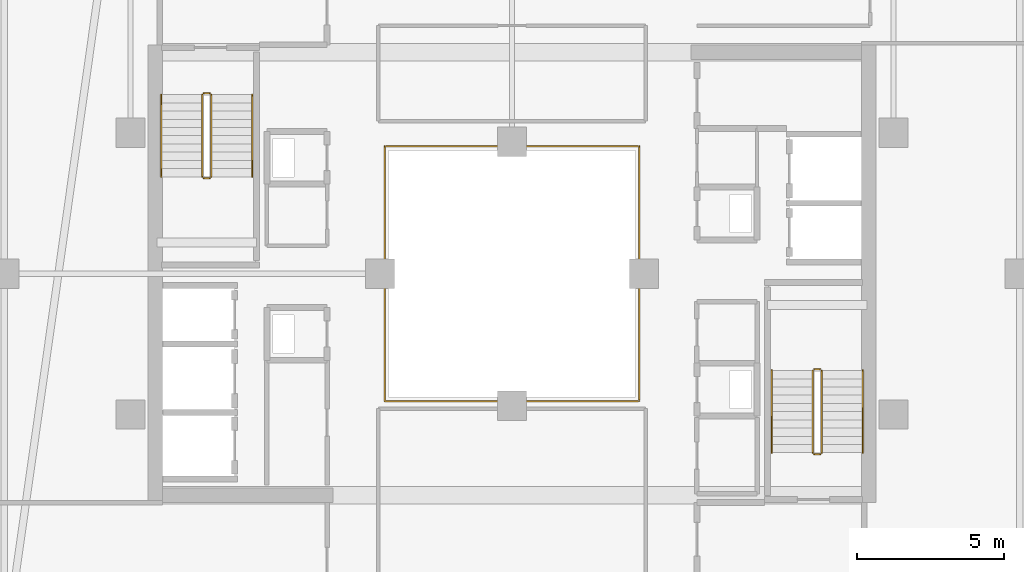
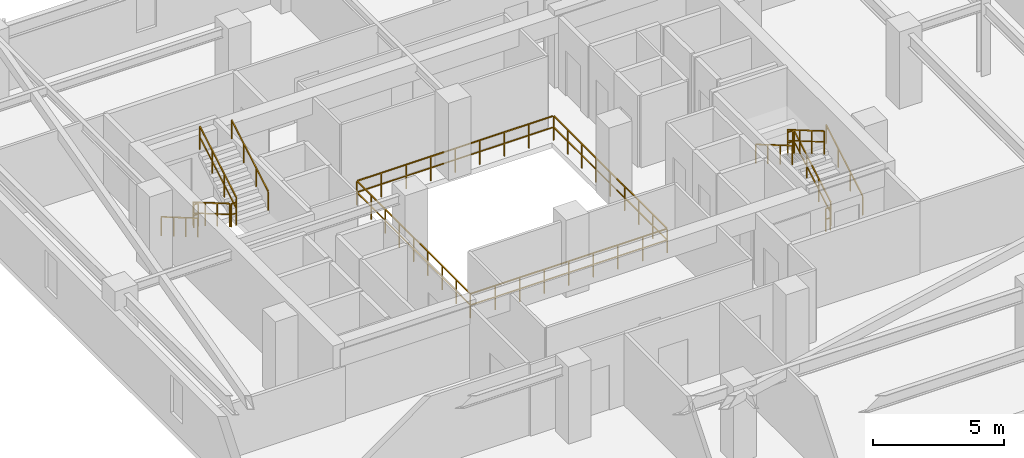
# One storey, part 30 of 31: 13 railings.
"""IFC4 building model written with IfcOpenShell, lengths in metres."""

from ifc_helpers import new_model, si_unit, direction, frame, origin, origin_2d, place, context, subcontext, project, spatial, rectangle, extrude, material, type_object, element, save


model = new_model("IFC4")

# Units and contexts
model_context = context("Model", 3, precision=1e-05, world=origin(), true_north=direction((0.0, 1.0)))
body_context = subcontext(model_context, "Body", "Model", "MODEL_VIEW")
ifc_project = project(units=[si_unit("LENGTHUNIT", "METRE"), si_unit("AREAUNIT", "SQUARE_METRE"), si_unit("VOLUMEUNIT", "CUBIC_METRE"), si_unit("PLANEANGLEUNIT", "RADIAN"), si_unit("MASSUNIT", "GRAM", prefix="KILO")], contexts=[model_context])

# Site, building, storey
site_placement = place(None, origin())
site = spatial("IfcSite", under=ifc_project, at=site_placement, CompositionType="ELEMENT")
building_placement = place(site_placement, origin())
building = spatial("IfcBuilding", under=site, at=building_placement, Name="Thornwick Lancets Civic Towers", CompositionType="ELEMENT")
storey_placement = place(building_placement, frame((0.0, 0.0, 236.699951171875)))
storey = spatial("IfcBuildingStorey", under=building, at=storey_placement, Name="L63", CompositionType="ELEMENT", Elevation=236.699951171875)

# Railings
ifc_material_1 = material(Name="Laminated glass and bronze steel S355", Category="steel")
railing_type_1 = type_object("IfcRailingType", Name="RAIL_ATRIUM_GUARD", PredefinedType="BALUSTRADE", material=ifc_material_1)
railing_1_placement = place(storey_placement, frame((84.159912109375, 22.659912109375, 0.0)))
element("IfcRailing", 1, at=railing_1_placement, inside=storey, type_object=railing_type_1, Name="L63 Tower B Central Atrium Guard Balustrade", PredefinedType="BALUSTRADE", context=body_context, shape_type="SweptSolid", body=[
    extrude(rectangle(XDim=0.048095703125, YDim=0.048095703125, at=origin_2d()), frame((0.0, 0.0, 1.1259765625), z_axis=(1.0, 0.0, 0.0), x_axis=(0.0, 1.0, 0.0)), (0.0, 0.0, 1.0), 8.64892578125),
    extrude(rectangle(XDim=0.0419921875, YDim=0.0419921875, at=origin_2d()), frame((0.03759765625, 0.0, 0.597900390625), z_axis=(1.0, 0.0, 0.0), x_axis=(0.0, 1.0, 0.0)), (0.0, 0.0, 1.0), 1.010009765625),
    extrude(rectangle(XDim=0.0419921875, YDim=0.0419921875, at=origin_2d()), frame((1.12255859375, 0.0, 0.597900390625), z_axis=(1.0, 0.0, 0.0), x_axis=(0.0, 1.0, 0.0)), (0.0, 0.0, 1.0), 1.010009765625),
    extrude(rectangle(XDim=0.0419921875, YDim=0.0419921875, at=origin_2d()), frame((2.20751953125, 0.0, 0.597900390625), z_axis=(1.0, 0.0, 0.0), x_axis=(0.0, 1.0, 0.0)), (0.0, 0.0, 1.0), 1.010009765625),
    extrude(rectangle(XDim=0.0419921875, YDim=0.0419921875, at=origin_2d()), frame((3.29248046875, 0.0, 0.597900390625), z_axis=(1.0, 0.0, 0.0), x_axis=(0.0, 1.0, 0.0)), (0.0, 0.0, 1.0), 1.010009765625),
    extrude(rectangle(XDim=0.0419921875, YDim=0.0419921875, at=origin_2d()), frame((4.377685546875, 0.0, 0.597900390625), z_axis=(1.0, 0.0, 0.0), x_axis=(0.0, 1.0, 0.0)), (0.0, 0.0, 1.0), 1.010009765625),
    extrude(rectangle(XDim=0.0419921875, YDim=0.0419921875, at=origin_2d()), frame((5.462646484375, 0.0, 0.597900390625), z_axis=(1.0, 0.0, 0.0), x_axis=(0.0, 1.0, 0.0)), (0.0, 0.0, 1.0), 1.010009765625),
    extrude(rectangle(XDim=0.0419921875, YDim=0.0419921875, at=origin_2d()), frame((6.547607421875, 0.0, 0.597900390625), z_axis=(1.0, 0.0, 0.0), x_axis=(0.0, 1.0, 0.0)), (0.0, 0.0, 1.0), 1.010009765625),
    extrude(rectangle(XDim=0.0419921875, YDim=0.0419921875, at=origin_2d()), frame((7.632568359375, 0.0, 0.597900390625), z_axis=(1.0, 0.0, 0.0), x_axis=(0.0, 1.0, 0.0)), (0.0, 0.0, 1.0), 1.010009765625),
    extrude(rectangle(XDim=0.048095703125, YDim=0.048095703125, at=origin_2d()), frame((8.68017578125, 0.03125, 1.1259765625), z_axis=(0.0, 1.0, 0.0), x_axis=(-1.0, 0.0, 0.0)), (0.0, 0.0, 1.0), 8.61767578125),
    extrude(rectangle(XDim=0.0419921875, YDim=0.0419921875, at=origin_2d()), frame((8.68017578125, 0.03759765625, 0.597900390625), z_axis=(0.0, 1.0, 0.0), x_axis=(-1.0, 0.0, 0.0)), (0.0, 0.0, 1.0), 1.010009765625),
    extrude(rectangle(XDim=0.0419921875, YDim=0.0419921875, at=origin_2d()), frame((8.68017578125, 1.12255859375, 0.597900390625), z_axis=(0.0, 1.0, 0.0), x_axis=(-1.0, 0.0, 0.0)), (0.0, 0.0, 1.0), 1.010009765625),
    extrude(rectangle(XDim=0.0419921875, YDim=0.0419921875, at=origin_2d()), frame((8.68017578125, 2.20751953125, 0.597900390625), z_axis=(0.0, 1.0, 0.0), x_axis=(-1.0, 0.0, 0.0)), (0.0, 0.0, 1.0), 1.010009765625),
    extrude(rectangle(XDim=0.0419921875, YDim=0.0419921875, at=origin_2d()), frame((8.68017578125, 3.29248046875, 0.597900390625), z_axis=(0.0, 1.0, 0.0), x_axis=(-1.0, 0.0, 0.0)), (0.0, 0.0, 1.0), 1.010009765625),
    extrude(rectangle(XDim=0.0419921875, YDim=0.0419921875, at=origin_2d()), frame((8.68017578125, 4.377685546875, 0.597900390625), z_axis=(0.0, 1.0, 0.0), x_axis=(-1.0, 0.0, 0.0)), (0.0, 0.0, 1.0), 1.010009765625),
    extrude(rectangle(XDim=0.0419921875, YDim=0.0419921875, at=origin_2d()), frame((8.68017578125, 5.462646484375, 0.597900390625), z_axis=(0.0, 1.0, 0.0), x_axis=(-1.0, 0.0, 0.0)), (0.0, 0.0, 1.0), 1.010009765625),
    extrude(rectangle(XDim=0.0419921875, YDim=0.0419921875, at=origin_2d()), frame((8.68017578125, 6.547607421875, 0.597900390625), z_axis=(0.0, 1.0, 0.0), x_axis=(-1.0, 0.0, 0.0)), (0.0, 0.0, 1.0), 1.010009765625),
    extrude(rectangle(XDim=0.0419921875, YDim=0.0419921875, at=origin_2d()), frame((8.68017578125, 7.632568359375, 0.597900390625), z_axis=(0.0, 1.0, 0.0), x_axis=(-1.0, 0.0, 0.0)), (0.0, 0.0, 1.0), 1.010009765625),
    extrude(rectangle(XDim=0.048095703125, YDim=0.048095703125, at=origin_2d()), frame((8.64892578125, 8.68017578125, 1.1259765625), z_axis=(-1.0, 0.0, 0.0), x_axis=(0.0, -1.0, 0.0)), (0.0, 0.0, 1.0), 8.61767578125),
    extrude(rectangle(XDim=0.0419921875, YDim=0.0419921875, at=origin_2d()), frame((8.642578125, 8.68017578125, 0.597900390625), z_axis=(-1.0, 0.0, 0.0), x_axis=(0.0, -1.0, 0.0)), (0.0, 0.0, 1.0), 1.010009765625),
    extrude(rectangle(XDim=0.0419921875, YDim=0.0419921875, at=origin_2d()), frame((7.5576171875, 8.68017578125, 0.597900390625), z_axis=(-1.0, 0.0, 0.0), x_axis=(0.0, -1.0, 0.0)), (0.0, 0.0, 1.0), 1.010009765625),
    extrude(rectangle(XDim=0.0419921875, YDim=0.0419921875, at=origin_2d()), frame((6.47265625, 8.68017578125, 0.597900390625), z_axis=(-1.0, 0.0, 0.0), x_axis=(0.0, -1.0, 0.0)), (0.0, 0.0, 1.0), 1.010009765625),
    extrude(rectangle(XDim=0.0419921875, YDim=0.0419921875, at=origin_2d()), frame((5.3876953125, 8.68017578125, 0.597900390625), z_axis=(-1.0, 0.0, 0.0), x_axis=(0.0, -1.0, 0.0)), (0.0, 0.0, 1.0), 1.010009765625),
    extrude(rectangle(XDim=0.0419921875, YDim=0.0419921875, at=origin_2d()), frame((4.302490234375, 8.68017578125, 0.597900390625), z_axis=(-1.0, 0.0, 0.0), x_axis=(0.0, -1.0, 0.0)), (0.0, 0.0, 1.0), 1.010009765625),
    extrude(rectangle(XDim=0.0419921875, YDim=0.0419921875, at=origin_2d()), frame((3.217529296875, 8.68017578125, 0.597900390625), z_axis=(-1.0, 0.0, 0.0), x_axis=(0.0, -1.0, 0.0)), (0.0, 0.0, 1.0), 1.010009765625),
    extrude(rectangle(XDim=0.0419921875, YDim=0.0419921875, at=origin_2d()), frame((2.132568359375, 8.68017578125, 0.597900390625), z_axis=(-1.0, 0.0, 0.0), x_axis=(0.0, -1.0, 0.0)), (0.0, 0.0, 1.0), 1.010009765625),
    extrude(rectangle(XDim=0.0419921875, YDim=0.0419921875, at=origin_2d()), frame((1.047607421875, 8.68017578125, 0.597900390625), z_axis=(-1.0, 0.0, 0.0), x_axis=(0.0, -1.0, 0.0)), (0.0, 0.0, 1.0), 1.010009765625),
    extrude(rectangle(XDim=0.048095703125, YDim=0.048095703125, at=origin_2d()), frame((0.0, 8.64892578125, 1.1259765625), z_axis=(0.0, -1.0, 0.0), x_axis=(1.0, 0.0, 0.0)), (0.0, 0.0, 1.0), 8.64892578125),
    extrude(rectangle(XDim=0.0419921875, YDim=0.0419921875, at=origin_2d()), frame((0.0, 8.642578125, 0.597900390625), z_axis=(0.0, -1.0, 0.0), x_axis=(1.0, 0.0, 0.0)), (0.0, 0.0, 1.0), 1.010009765625),
    extrude(rectangle(XDim=0.0419921875, YDim=0.0419921875, at=origin_2d()), frame((0.0, 7.5576171875, 0.597900390625), z_axis=(0.0, -1.0, 0.0), x_axis=(1.0, 0.0, 0.0)), (0.0, 0.0, 1.0), 1.010009765625),
    extrude(rectangle(XDim=0.0419921875, YDim=0.0419921875, at=origin_2d()), frame((0.0, 6.47265625, 0.597900390625), z_axis=(0.0, -1.0, 0.0), x_axis=(1.0, 0.0, 0.0)), (0.0, 0.0, 1.0), 1.010009765625),
    extrude(rectangle(XDim=0.0419921875, YDim=0.0419921875, at=origin_2d()), frame((0.0, 5.3876953125, 0.597900390625), z_axis=(0.0, -1.0, 0.0), x_axis=(1.0, 0.0, 0.0)), (0.0, 0.0, 1.0), 1.010009765625),
    extrude(rectangle(XDim=0.0419921875, YDim=0.0419921875, at=origin_2d()), frame((0.0, 4.302490234375, 0.597900390625), z_axis=(0.0, -1.0, 0.0), x_axis=(1.0, 0.0, 0.0)), (0.0, 0.0, 1.0), 1.010009765625),
    extrude(rectangle(XDim=0.0419921875, YDim=0.0419921875, at=origin_2d()), frame((0.0, 3.217529296875, 0.597900390625), z_axis=(0.0, -1.0, 0.0), x_axis=(1.0, 0.0, 0.0)), (0.0, 0.0, 1.0), 1.010009765625),
    extrude(rectangle(XDim=0.0419921875, YDim=0.0419921875, at=origin_2d()), frame((0.0, 2.132568359375, 0.597900390625), z_axis=(0.0, -1.0, 0.0), x_axis=(1.0, 0.0, 0.0)), (0.0, 0.0, 1.0), 1.010009765625),
    extrude(rectangle(XDim=0.0419921875, YDim=0.0419921875, at=origin_2d()), frame((0.0, 1.047607421875, 0.597900390625), z_axis=(0.0, -1.0, 0.0), x_axis=(1.0, 0.0, 0.0)), (0.0, 0.0, 1.0), 1.010009765625),
    extrude(rectangle(XDim=0.0419921875, YDim=0.0419921875, at=origin_2d()), origin(), (0.0, 0.0, 1.0), 1.095703125),
    extrude(rectangle(XDim=0.0419921875, YDim=0.0419921875, at=origin_2d()), frame((1.0849609375, 0.0, 0.0)), (0.0, 0.0, 1.0), 1.095703125),
    extrude(rectangle(XDim=0.0419921875, YDim=0.0419921875, at=origin_2d()), frame((2.169921875, 0.0, 0.0)), (0.0, 0.0, 1.0), 1.095703125),
    extrude(rectangle(XDim=0.0419921875, YDim=0.0419921875, at=origin_2d()), frame((3.255126953125, 0.0, 0.0)), (0.0, 0.0, 1.0), 1.095703125),
    extrude(rectangle(XDim=0.0419921875, YDim=0.0419921875, at=origin_2d()), frame((4.340087890625, 0.0, 0.0)), (0.0, 0.0, 1.0), 1.095703125),
    extrude(rectangle(XDim=0.0419921875, YDim=0.0419921875, at=origin_2d()), frame((5.425048828125, 0.0, 0.0)), (0.0, 0.0, 1.0), 1.095703125),
    extrude(rectangle(XDim=0.0419921875, YDim=0.0419921875, at=origin_2d()), frame((6.51025390625, 0.0, 0.0)), (0.0, 0.0, 1.0), 1.095703125),
    extrude(rectangle(XDim=0.0419921875, YDim=0.0419921875, at=origin_2d()), frame((7.59521484375, 0.0, 0.0)), (0.0, 0.0, 1.0), 1.095703125),
    extrude(rectangle(XDim=0.0419921875, YDim=0.0419921875, at=origin_2d()), frame((8.68017578125, 0.0, 0.0)), (0.0, 0.0, 1.0), 1.095703125),
    extrude(rectangle(XDim=0.0419921875, YDim=0.0419921875, at=origin_2d()), frame((8.68017578125, 1.0849609375, 0.0)), (0.0, 0.0, 1.0), 1.095703125),
    extrude(rectangle(XDim=0.0419921875, YDim=0.0419921875, at=origin_2d()), frame((8.68017578125, 2.169921875, 0.0)), (0.0, 0.0, 1.0), 1.095703125),
    extrude(rectangle(XDim=0.0419921875, YDim=0.0419921875, at=origin_2d()), frame((8.68017578125, 3.255126953125, 0.0)), (0.0, 0.0, 1.0), 1.095703125),
    extrude(rectangle(XDim=0.0419921875, YDim=0.0419921875, at=origin_2d()), frame((8.68017578125, 4.340087890625, 0.0)), (0.0, 0.0, 1.0), 1.095703125),
    extrude(rectangle(XDim=0.0419921875, YDim=0.0419921875, at=origin_2d()), frame((8.68017578125, 5.425048828125, 0.0)), (0.0, 0.0, 1.0), 1.095703125),
    extrude(rectangle(XDim=0.0419921875, YDim=0.0419921875, at=origin_2d()), frame((8.68017578125, 6.51025390625, 0.0)), (0.0, 0.0, 1.0), 1.095703125),
    extrude(rectangle(XDim=0.0419921875, YDim=0.0419921875, at=origin_2d()), frame((8.68017578125, 7.59521484375, 0.0)), (0.0, 0.0, 1.0), 1.095703125),
    extrude(rectangle(XDim=0.0419921875, YDim=0.0419921875, at=origin_2d()), frame((8.68017578125, 8.68017578125, 0.0)), (0.0, 0.0, 1.0), 1.095703125),
    extrude(rectangle(XDim=0.0419921875, YDim=0.0419921875, at=origin_2d()), frame((7.59521484375, 8.68017578125, 0.0)), (0.0, 0.0, 1.0), 1.095703125),
    extrude(rectangle(XDim=0.0419921875, YDim=0.0419921875, at=origin_2d()), frame((6.51025390625, 8.68017578125, 0.0)), (0.0, 0.0, 1.0), 1.095703125),
    extrude(rectangle(XDim=0.0419921875, YDim=0.0419921875, at=origin_2d()), frame((5.425048828125, 8.68017578125, 0.0)), (0.0, 0.0, 1.0), 1.095703125),
    extrude(rectangle(XDim=0.0419921875, YDim=0.0419921875, at=origin_2d()), frame((4.340087890625, 8.68017578125, 0.0)), (0.0, 0.0, 1.0), 1.095703125),
    extrude(rectangle(XDim=0.0419921875, YDim=0.0419921875, at=origin_2d()), frame((3.255126953125, 8.68017578125, 0.0)), (0.0, 0.0, 1.0), 1.095703125),
    extrude(rectangle(XDim=0.0419921875, YDim=0.0419921875, at=origin_2d()), frame((2.169921875, 8.68017578125, 0.0)), (0.0, 0.0, 1.0), 1.095703125),
    extrude(rectangle(XDim=0.0419921875, YDim=0.0419921875, at=origin_2d()), frame((1.0849609375, 8.68017578125, 0.0)), (0.0, 0.0, 1.0), 1.095703125),
    extrude(rectangle(XDim=0.0419921875, YDim=0.0419921875, at=origin_2d()), frame((0.0, 8.68017578125, 0.0)), (0.0, 0.0, 1.0), 1.095703125),
    extrude(rectangle(XDim=0.0419921875, YDim=0.0419921875, at=origin_2d()), frame((0.0, 7.59521484375, 0.0)), (0.0, 0.0, 1.0), 1.095703125),
    extrude(rectangle(XDim=0.0419921875, YDim=0.0419921875, at=origin_2d()), frame((0.0, 6.51025390625, 0.0)), (0.0, 0.0, 1.0), 1.095703125),
    extrude(rectangle(XDim=0.0419921875, YDim=0.0419921875, at=origin_2d()), frame((0.0, 5.425048828125, 0.0)), (0.0, 0.0, 1.0), 1.095703125),
    extrude(rectangle(XDim=0.0419921875, YDim=0.0419921875, at=origin_2d()), frame((0.0, 4.340087890625, 0.0)), (0.0, 0.0, 1.0), 1.095703125),
    extrude(rectangle(XDim=0.0419921875, YDim=0.0419921875, at=origin_2d()), frame((0.0, 3.255126953125, 0.0)), (0.0, 0.0, 1.0), 1.095703125),
    extrude(rectangle(XDim=0.0419921875, YDim=0.0419921875, at=origin_2d()), frame((0.0, 2.169921875, 0.0)), (0.0, 0.0, 1.0), 1.095703125),
    extrude(rectangle(XDim=0.0419921875, YDim=0.0419921875, at=origin_2d()), frame((0.0, 1.0849609375, 0.0)), (0.0, 0.0, 1.0), 1.095703125),
])
ifc_material_2 = material(Name="Brushed stainless steel S355", Category="steel")
railing_type_2 = type_object("IfcRailingType", Name="RAIL_HANDRAIL", PredefinedType="HANDRAIL", material=ifc_material_2)
railing_2_placement = place(storey_placement, frame((100.449951171875, 20.89990234375, 0.16357421875)))
element("IfcRailing", 2, at=railing_2_placement, inside=storey, type_object=railing_type_2, Name="L63 ST-B1 stair handrail 1", PredefinedType="HANDRAIL", context=body_context, shape_type="SweptSolid", body=[
    extrude(rectangle(XDim=0.048095703125, YDim=0.048095703125, at=origin_2d()), frame((0.0, 0.0, 0.8857421875), z_axis=(0.0, 0.863360870873, 0.504586966384), x_axis=(-1.0, 0.0, 0.0)), (0.0, 0.0, 1.0), 3.2431640625),
    extrude(rectangle(XDim=0.0419921875, YDim=0.0419921875, at=origin_2d()), origin(), (0.0, 0.0, 1.0), 0.855712890625),
    extrude(rectangle(XDim=0.0419921875, YDim=0.0419921875, at=origin_2d()), frame((0.0, 0.933349609375, 0.54541015625)), (0.0, 0.0, 1.0), 0.855712890625),
    extrude(rectangle(XDim=0.0419921875, YDim=0.0419921875, at=origin_2d()), frame((0.0, 1.86669921875, 1.091064453125)), (0.0, 0.0, 1.0), 0.855712890625),
    extrude(rectangle(XDim=0.0419921875, YDim=0.0419921875, at=origin_2d()), frame((0.0, 2.800048828125, 1.636474609375)), (0.0, 0.0, 1.0), 0.855712890625),
])
for number, where, name in (
    (3, (97.35009765625, 23.699951171875, 1.963623046875), "L63 ST-B1 stair handrail 2"),
    (4, (76.550048828125, 33.10009765625, 0.16357421875), "L63 ST-B2 stair handrail 1"),
):
    element("IfcRailing", number, at=place(storey_placement, frame(where)), inside=storey, type_object=railing_type_2, Name=name, PredefinedType="HANDRAIL", context=body_context, shape_type="SweptSolid", body=[
        extrude(rectangle(XDim=0.048095703125, YDim=0.048095703125, at=origin_2d()), frame((0.0, 0.0, 0.8857421875), z_axis=(0.0, -0.863360870873, 0.504586966384), x_axis=(1.0, 0.0, 0.0)), (0.0, 0.0, 1.0), 3.2431640625),
        extrude(rectangle(XDim=0.0419921875, YDim=0.0419921875, at=origin_2d()), origin(), (0.0, 0.0, 1.0), 0.855712890625),
        extrude(rectangle(XDim=0.0419921875, YDim=0.0419921875, at=origin_2d()), frame((0.0, -0.933349609375, 0.54541015625)), (0.0, 0.0, 1.0), 0.855712890625),
        extrude(rectangle(XDim=0.0419921875, YDim=0.0419921875, at=origin_2d()), frame((0.0, -1.86669921875, 1.091064453125)), (0.0, 0.0, 1.0), 0.855712890625),
        extrude(rectangle(XDim=0.0419921875, YDim=0.0419921875, at=origin_2d()), frame((0.0, -2.800048828125, 1.636474609375)), (0.0, 0.0, 1.0), 0.855712890625),
    ])
railing_3_placement = place(storey_placement, frame((79.64990234375, 30.300048828125, 1.963623046875)))
element("IfcRailing", 5, at=railing_3_placement, inside=storey, type_object=railing_type_2, Name="L63 ST-B2 stair handrail 2", PredefinedType="HANDRAIL", context=body_context, shape_type="SweptSolid", body=[
    extrude(rectangle(XDim=0.048095703125, YDim=0.048095703125, at=origin_2d()), frame((0.0, 0.0, 0.8857421875), z_axis=(0.0, 0.863360870873, 0.504586966384), x_axis=(-1.0, 0.0, 0.0)), (0.0, 0.0, 1.0), 3.2431640625),
    extrude(rectangle(XDim=0.0419921875, YDim=0.0419921875, at=origin_2d()), origin(), (0.0, 0.0, 1.0), 0.855712890625),
    extrude(rectangle(XDim=0.0419921875, YDim=0.0419921875, at=origin_2d()), frame((0.0, 0.933349609375, 0.54541015625)), (0.0, 0.0, 1.0), 0.855712890625),
    extrude(rectangle(XDim=0.0419921875, YDim=0.0419921875, at=origin_2d()), frame((0.0, 1.86669921875, 1.091064453125)), (0.0, 0.0, 1.0), 0.855712890625),
    extrude(rectangle(XDim=0.0419921875, YDim=0.0419921875, at=origin_2d()), frame((0.0, 2.800048828125, 1.636474609375)), (0.0, 0.0, 1.0), 0.855712890625),
])
ifc_material_3 = material(Name="Steel S355JR", Category="steel")
railing_type_3 = type_object("IfcRailingType", Name="RAIL_STAIR_GUARD", PredefinedType="GUARDRAIL", material=ifc_material_3)
railing_4_placement = place(storey_placement, frame((99.050048828125, 20.89990234375, 0.16357421875)))
element("IfcRailing", 6, at=railing_4_placement, inside=storey, type_object=railing_type_3, Name="L63 ST-B1 stair guard 1", PredefinedType="GUARDRAIL", context=body_context, shape_type="SweptSolid", body=[
    extrude(rectangle(XDim=0.048095703125, YDim=0.048095703125, at=origin_2d()), frame((0.0, 0.0, 1.076171875), z_axis=(0.0, 0.863360870873, 0.504586966384), x_axis=(-1.0, 0.0, 0.0)), (0.0, 0.0, 1.0), 3.2431640625),
    extrude(rectangle(XDim=0.0419921875, YDim=0.0419921875, at=origin_2d()), frame((0.0, 0.032470703125, 0.591064453125), z_axis=(0.0, 0.863360870873, 0.504586966384), x_axis=(-1.0, 0.0, 0.0)), (0.0, 0.0, 1.0), 1.006103515625),
    extrude(rectangle(XDim=0.0419921875, YDim=0.0419921875, at=origin_2d()), frame((0.0, 0.9658203125, 1.136474609375), z_axis=(0.0, 0.863360870873, 0.504586966384), x_axis=(-1.0, 0.0, 0.0)), (0.0, 0.0, 1.0), 1.006103515625),
    extrude(rectangle(XDim=0.0419921875, YDim=0.0419921875, at=origin_2d()), frame((0.0, 1.899169921875, 1.681884765625), z_axis=(0.0, 0.863360870873, 0.504586966384), x_axis=(-1.0, 0.0, 0.0)), (0.0, 0.0, 1.0), 1.006103515625),
    extrude(rectangle(XDim=0.0419921875, YDim=0.0419921875, at=origin_2d()), origin(), (0.0, 0.0, 1.0), 1.0458984375),
    extrude(rectangle(XDim=0.0419921875, YDim=0.0419921875, at=origin_2d()), frame((0.0, 0.933349609375, 0.54541015625)), (0.0, 0.0, 1.0), 1.0458984375),
    extrude(rectangle(XDim=0.0419921875, YDim=0.0419921875, at=origin_2d()), frame((0.0, 1.86669921875, 1.091064453125)), (0.0, 0.0, 1.0), 1.0458984375),
    extrude(rectangle(XDim=0.0419921875, YDim=0.0419921875, at=origin_2d()), frame((0.0, 2.800048828125, 1.636474609375)), (0.0, 0.0, 1.0), 1.0458984375),
])
railing_5_placement = place(storey_placement, frame((99.0, 23.75, 1.800048828125)))
element("IfcRailing", 7, at=railing_5_placement, inside=storey, type_object=railing_type_3, Name="L63 ST-B1 stair guard 2", PredefinedType="GUARDRAIL", context=body_context, shape_type="SweptSolid", body=[
    extrude(rectangle(XDim=0.048095703125, YDim=0.048095703125, at=origin_2d()), frame((0.0, 0.0, 1.076171875), z_axis=(-1.0, 0.0, 0.0), x_axis=(0.0, -1.0, 0.0)), (0.0, 0.0, 1.0), 0.199951171875),
    extrude(rectangle(XDim=0.0419921875, YDim=0.0419921875, at=origin_2d()), frame((-0.03759765625, 0.0, 0.572021484375), z_axis=(-1.0, 0.0, 0.0), x_axis=(0.0, -1.0, 0.0)), (0.0, 0.0, 1.0), 0.125),
    extrude(rectangle(XDim=0.0419921875, YDim=0.0419921875, at=origin_2d()), origin(), (0.0, 0.0, 1.0), 1.0458984375),
    extrude(rectangle(XDim=0.0419921875, YDim=0.0419921875, at=origin_2d()), frame((-0.199951171875, 0.0, 0.0)), (0.0, 0.0, 1.0), 1.0458984375),
])
railing_6_placement = place(storey_placement, frame((98.75, 23.699951171875, 1.963623046875)))
element("IfcRailing", 8, at=railing_6_placement, inside=storey, type_object=railing_type_3, Name="L63 ST-B1 stair guard 3", PredefinedType="GUARDRAIL", context=body_context, shape_type="SweptSolid", body=[
    extrude(rectangle(XDim=0.048095703125, YDim=0.048095703125, at=origin_2d()), frame((0.0, 0.0, 1.076171875), z_axis=(0.0, -0.863360870873, 0.504586966384), x_axis=(1.0, 0.0, 0.0)), (0.0, 0.0, 1.0), 3.2431640625),
    extrude(rectangle(XDim=0.0419921875, YDim=0.0419921875, at=origin_2d()), frame((0.0, -0.032470703125, 0.591064453125), z_axis=(0.0, -0.863360870873, 0.504586966384), x_axis=(1.0, 0.0, 0.0)), (0.0, 0.0, 1.0), 1.006103515625),
    extrude(rectangle(XDim=0.0419921875, YDim=0.0419921875, at=origin_2d()), frame((0.0, -0.9658203125, 1.136474609375), z_axis=(0.0, -0.863360870873, 0.504586966384), x_axis=(1.0, 0.0, 0.0)), (0.0, 0.0, 1.0), 1.006103515625),
    extrude(rectangle(XDim=0.0419921875, YDim=0.0419921875, at=origin_2d()), frame((0.0, -1.899169921875, 1.681884765625), z_axis=(0.0, -0.863360870873, 0.504586966384), x_axis=(1.0, 0.0, 0.0)), (0.0, 0.0, 1.0), 1.006103515625),
    extrude(rectangle(XDim=0.0419921875, YDim=0.0419921875, at=origin_2d()), origin(), (0.0, 0.0, 1.0), 1.0458984375),
    extrude(rectangle(XDim=0.0419921875, YDim=0.0419921875, at=origin_2d()), frame((0.0, -0.933349609375, 0.54541015625)), (0.0, 0.0, 1.0), 1.0458984375),
    extrude(rectangle(XDim=0.0419921875, YDim=0.0419921875, at=origin_2d()), frame((0.0, -1.86669921875, 1.091064453125)), (0.0, 0.0, 1.0), 1.0458984375),
    extrude(rectangle(XDim=0.0419921875, YDim=0.0419921875, at=origin_2d()), frame((0.0, -2.800048828125, 1.636474609375)), (0.0, 0.0, 1.0), 1.0458984375),
])
railing_7_placement = place(storey_placement, frame((99.0, 20.85009765625, 0.0)))
element("IfcRailing", 9, at=railing_7_placement, inside=storey, type_object=railing_type_3, Name="L63 ST-B1 stair guard 4", PredefinedType="GUARDRAIL", context=body_context, shape_type="SweptSolid", body=[
    extrude(rectangle(XDim=0.048095703125, YDim=0.048095703125, at=origin_2d()), frame((0.0, 0.0, 1.076171875), z_axis=(-1.0, 0.0, 0.0), x_axis=(0.0, -1.0, 0.0)), (0.0, 0.0, 1.0), 0.199951171875),
    extrude(rectangle(XDim=0.0419921875, YDim=0.0419921875, at=origin_2d()), frame((-0.03759765625, 0.0, 0.572021484375), z_axis=(-1.0, 0.0, 0.0), x_axis=(0.0, -1.0, 0.0)), (0.0, 0.0, 1.0), 0.125),
    extrude(rectangle(XDim=0.0419921875, YDim=0.0419921875, at=origin_2d()), origin(), (0.0, 0.0, 1.0), 1.0458984375),
    extrude(rectangle(XDim=0.0419921875, YDim=0.0419921875, at=origin_2d()), frame((-0.199951171875, 0.0, 0.0)), (0.0, 0.0, 1.0), 1.0458984375),
])
railing_8_placement = place(storey_placement, frame((77.949951171875, 33.10009765625, 0.16357421875)))
element("IfcRailing", 10, at=railing_8_placement, inside=storey, type_object=railing_type_3, Name="L63 ST-B2 stair guard 1", PredefinedType="GUARDRAIL", context=body_context, shape_type="SweptSolid", body=[
    extrude(rectangle(XDim=0.048095703125, YDim=0.048095703125, at=origin_2d()), frame((0.0, 0.0, 1.076171875), z_axis=(0.0, -0.863360870873, 0.504586966384), x_axis=(1.0, 0.0, 0.0)), (0.0, 0.0, 1.0), 3.2431640625),
    extrude(rectangle(XDim=0.0419921875, YDim=0.0419921875, at=origin_2d()), frame((0.0, -0.032470703125, 0.591064453125), z_axis=(0.0, -0.863360870873, 0.504586966384), x_axis=(1.0, 0.0, 0.0)), (0.0, 0.0, 1.0), 1.006103515625),
    extrude(rectangle(XDim=0.0419921875, YDim=0.0419921875, at=origin_2d()), frame((0.0, -0.9658203125, 1.136474609375), z_axis=(0.0, -0.863360870873, 0.504586966384), x_axis=(1.0, 0.0, 0.0)), (0.0, 0.0, 1.0), 1.006103515625),
    extrude(rectangle(XDim=0.0419921875, YDim=0.0419921875, at=origin_2d()), frame((0.0, -1.899169921875, 1.681884765625), z_axis=(0.0, -0.863360870873, 0.504586966384), x_axis=(1.0, 0.0, 0.0)), (0.0, 0.0, 1.0), 1.006103515625),
    extrude(rectangle(XDim=0.0419921875, YDim=0.0419921875, at=origin_2d()), origin(), (0.0, 0.0, 1.0), 1.0458984375),
    extrude(rectangle(XDim=0.0419921875, YDim=0.0419921875, at=origin_2d()), frame((0.0, -0.933349609375, 0.54541015625)), (0.0, 0.0, 1.0), 1.0458984375),
    extrude(rectangle(XDim=0.0419921875, YDim=0.0419921875, at=origin_2d()), frame((0.0, -1.86669921875, 1.091064453125)), (0.0, 0.0, 1.0), 1.0458984375),
    extrude(rectangle(XDim=0.0419921875, YDim=0.0419921875, at=origin_2d()), frame((0.0, -2.800048828125, 1.636474609375)), (0.0, 0.0, 1.0), 1.0458984375),
])
railing_9_placement = place(storey_placement, frame((78.0, 30.25, 1.800048828125)))
element("IfcRailing", 11, at=railing_9_placement, inside=storey, type_object=railing_type_3, Name="L63 ST-B2 stair guard 2", PredefinedType="GUARDRAIL", context=body_context, shape_type="SweptSolid", body=[
    extrude(rectangle(XDim=0.048095703125, YDim=0.048095703125, at=origin_2d()), frame((0.0, 0.0, 1.076171875), z_axis=(1.0, 0.0, 0.0), x_axis=(0.0, 1.0, 0.0)), (0.0, 0.0, 1.0), 0.199951171875),
    extrude(rectangle(XDim=0.0419921875, YDim=0.0419921875, at=origin_2d()), frame((0.03759765625, 0.0, 0.572021484375), z_axis=(1.0, 0.0, 0.0), x_axis=(0.0, 1.0, 0.0)), (0.0, 0.0, 1.0), 0.125),
    extrude(rectangle(XDim=0.0419921875, YDim=0.0419921875, at=origin_2d()), origin(), (0.0, 0.0, 1.0), 1.0458984375),
    extrude(rectangle(XDim=0.0419921875, YDim=0.0419921875, at=origin_2d()), frame((0.199951171875, 0.0, 0.0)), (0.0, 0.0, 1.0), 1.0458984375),
])
railing_10_placement = place(storey_placement, frame((78.25, 30.300048828125, 1.963623046875)))
element("IfcRailing", 12, at=railing_10_placement, inside=storey, type_object=railing_type_3, Name="L63 ST-B2 stair guard 3", PredefinedType="GUARDRAIL", context=body_context, shape_type="SweptSolid", body=[
    extrude(rectangle(XDim=0.048095703125, YDim=0.048095703125, at=origin_2d()), frame((0.0, 0.0, 1.076171875), z_axis=(0.0, 0.863360870873, 0.504586966384), x_axis=(-1.0, 0.0, 0.0)), (0.0, 0.0, 1.0), 3.2431640625),
    extrude(rectangle(XDim=0.0419921875, YDim=0.0419921875, at=origin_2d()), frame((0.0, 0.032470703125, 0.591064453125), z_axis=(0.0, 0.863360870873, 0.504586966384), x_axis=(-1.0, 0.0, 0.0)), (0.0, 0.0, 1.0), 1.006103515625),
    extrude(rectangle(XDim=0.0419921875, YDim=0.0419921875, at=origin_2d()), frame((0.0, 0.9658203125, 1.136474609375), z_axis=(0.0, 0.863360870873, 0.504586966384), x_axis=(-1.0, 0.0, 0.0)), (0.0, 0.0, 1.0), 1.006103515625),
    extrude(rectangle(XDim=0.0419921875, YDim=0.0419921875, at=origin_2d()), frame((0.0, 1.899169921875, 1.681884765625), z_axis=(0.0, 0.863360870873, 0.504586966384), x_axis=(-1.0, 0.0, 0.0)), (0.0, 0.0, 1.0), 1.006103515625),
    extrude(rectangle(XDim=0.0419921875, YDim=0.0419921875, at=origin_2d()), origin(), (0.0, 0.0, 1.0), 1.0458984375),
    extrude(rectangle(XDim=0.0419921875, YDim=0.0419921875, at=origin_2d()), frame((0.0, 0.933349609375, 0.54541015625)), (0.0, 0.0, 1.0), 1.0458984375),
    extrude(rectangle(XDim=0.0419921875, YDim=0.0419921875, at=origin_2d()), frame((0.0, 1.86669921875, 1.091064453125)), (0.0, 0.0, 1.0), 1.0458984375),
    extrude(rectangle(XDim=0.0419921875, YDim=0.0419921875, at=origin_2d()), frame((0.0, 2.800048828125, 1.636474609375)), (0.0, 0.0, 1.0), 1.0458984375),
])
railing_11_placement = place(storey_placement, frame((78.0, 33.14990234375, 0.0)))
element("IfcRailing", 13, at=railing_11_placement, inside=storey, type_object=railing_type_3, Name="L63 ST-B2 stair guard 4", PredefinedType="GUARDRAIL", context=body_context, shape_type="SweptSolid", body=[
    extrude(rectangle(XDim=0.048095703125, YDim=0.048095703125, at=origin_2d()), frame((0.0, 0.0, 1.076171875), z_axis=(1.0, 0.0, 0.0), x_axis=(0.0, 1.0, 0.0)), (0.0, 0.0, 1.0), 0.199951171875),
    extrude(rectangle(XDim=0.0419921875, YDim=0.0419921875, at=origin_2d()), frame((0.03759765625, 0.0, 0.572021484375), z_axis=(1.0, 0.0, 0.0), x_axis=(0.0, 1.0, 0.0)), (0.0, 0.0, 1.0), 0.125),
    extrude(rectangle(XDim=0.0419921875, YDim=0.0419921875, at=origin_2d()), origin(), (0.0, 0.0, 1.0), 1.0458984375),
    extrude(rectangle(XDim=0.0419921875, YDim=0.0419921875, at=origin_2d()), frame((0.199951171875, 0.0, 0.0)), (0.0, 0.0, 1.0), 1.0458984375),
])

save(model, "model.ifc")
